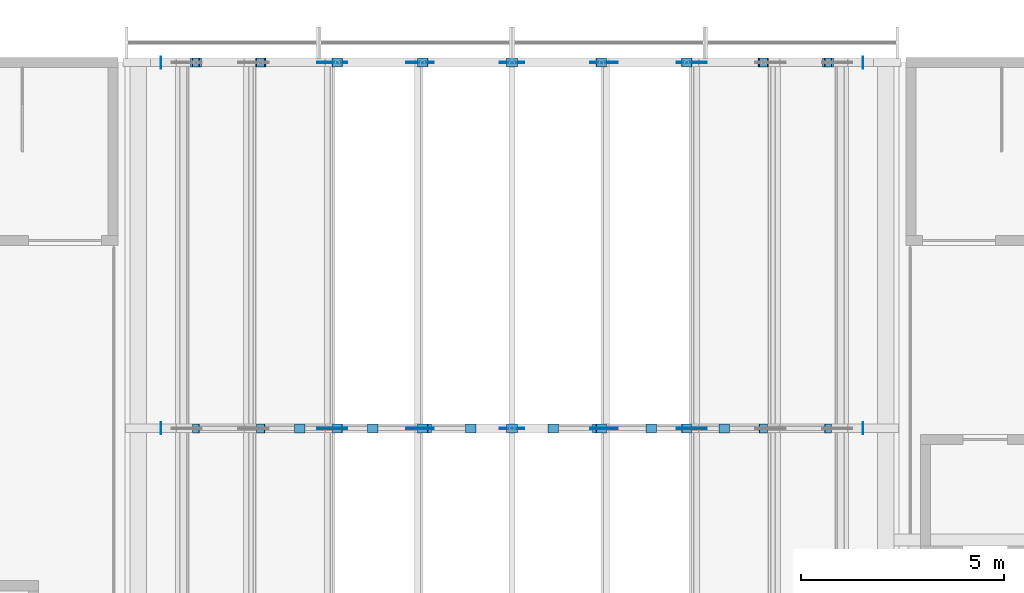
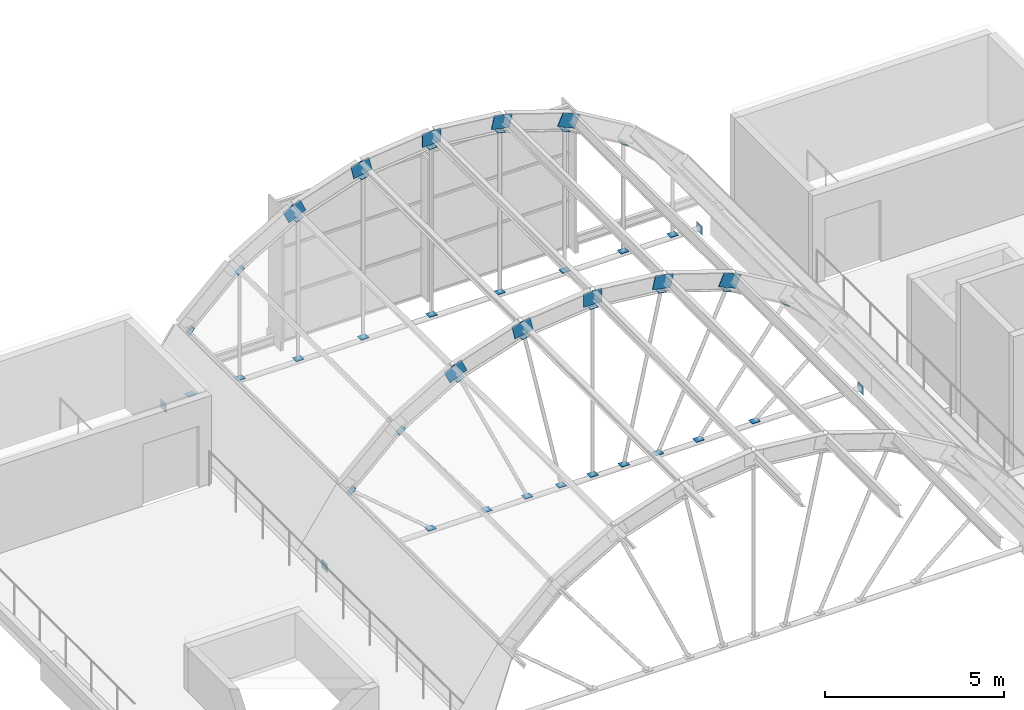
# One storey, part 69 of 79: 60 discrete accessories.
"""IFC4 building model written with IfcOpenShell, lengths in metres."""

from ifc_helpers import new_model, si_unit, direction, frame, origin, origin_2d, place, context, subcontext, project, spatial, rectangle, extrude, material, material_profile, profile_set, type_object, element, save


model = new_model("IFC4")

# Units and contexts
model_context = context("Model", 3, precision=1e-05, world=origin(), true_north=direction((0.0, 1.0)))
body_context = subcontext(model_context, "Body", "Model", "MODEL_VIEW")
ifc_project = project(units=[si_unit("LENGTHUNIT", "METRE"), si_unit("AREAUNIT", "SQUARE_METRE"), si_unit("VOLUMEUNIT", "CUBIC_METRE"), si_unit("PLANEANGLEUNIT", "RADIAN"), si_unit("MASSUNIT", "GRAM", prefix="KILO")], contexts=[model_context])

# Site, building, storey
site_placement = place(None, origin())
site = spatial("IfcSite", under=ifc_project, at=site_placement, CompositionType="ELEMENT")
building_placement = place(site_placement, origin())
building = spatial("IfcBuilding", under=site, at=building_placement, Name="Guidao Yard Department Store", CompositionType="ELEMENT")
storey_placement = place(building_placement, frame((0.0, 0.0, 15.0)))
storey = spatial("IfcBuildingStorey", under=building, at=storey_placement, Name="L03", CompositionType="ELEMENT", Elevation=15.0)

# Discrete accessories
ifc_material_1 = material(Name="Steel Q355B", Category="steel")
ifc_material_profile_1 = material_profile(ifc_material_1, rectangle(XDim=0.011962890625, YDim=0.449951171875, at=origin_2d()), Name="Splice plate 450x12")
ifc_profile_set_1 = profile_set([ifc_material_profile_1], Name="Steel Q355B")
discrete_accessory_type_1 = type_object("IfcDiscreteAccessoryType", Name="Rib splice plate SP2 steel", PredefinedType="BRACKET", material=ifc_profile_set_1)
for number, where, z_axis, x_axis, name in (
    (1, (85.30419921875, 98.988525390625, 4.585693359375), (0.909808266671, 0.0, 0.415028815744), (0.0, 1.0, 0.0), "Rib splice plate C07-03A"),
    (2, (85.30419921875, 99.011474609375, 4.585693359375), (0.909808266671, 0.0, 0.415028815744), (0.0, 1.0, 0.0), "Rib splice plate C07-03B"),
):
    element("IfcDiscreteAccessory", number, at=place(storey_placement, frame(where, z_axis=z_axis, x_axis=x_axis)), inside=storey, type_object=discrete_accessory_type_1, Name=name, PredefinedType="BRACKET", context=body_context, shape_type="SweptSolid", body=[
        extrude(rectangle(XDim=0.011962890625, YDim=0.449951171875, at=origin_2d()), origin(), (0.0, 0.0, 1.0), 0.60009765625),
    ])
for number, where, z_axis, x_axis, name in (
    (3, (87.441162109375, 98.988525390625, 5.362548828125), (0.977257109626, 0.0, 0.212057873434), (0.0, 1.0, 0.0), "Rib splice plate C07-04A"),
    (4, (87.441162109375, 99.011474609375, 5.362548828125), (0.977257109626, 0.0, 0.212057873434), (0.0, 1.0, 0.0), "Rib splice plate C07-04B"),
):
    element("IfcDiscreteAccessory", number, at=place(storey_placement, frame(where, z_axis=z_axis, x_axis=x_axis)), inside=storey, type_object=discrete_accessory_type_1, Name=name, PredefinedType="BRACKET", context=body_context, shape_type="SweptSolid", body=[
        extrude(rectangle(XDim=0.011962890625, YDim=0.449951171875, at=origin_2d()), origin(), (0.0, 0.0, 1.0), 0.599853515625),
    ])
for number, where, z_axis, x_axis, name in (
    (5, (89.699951171875, 98.988525390625, 5.668701171875), (1.0, 0.0, 0.0), (0.0, 1.0, 0.0), "Rib splice plate C07-05A"),
    (6, (89.699951171875, 99.011474609375, 5.668701171875), (1.0, 0.0, 0.0), (0.0, 1.0, 0.0), "Rib splice plate C07-05B"),
):
    element("IfcDiscreteAccessory", number, at=place(storey_placement, frame(where, z_axis=z_axis, x_axis=x_axis)), inside=storey, type_object=discrete_accessory_type_1, Name=name, PredefinedType="BRACKET", context=body_context, shape_type="SweptSolid", body=[
        extrude(rectangle(XDim=0.011962890625, YDim=0.449951171875, at=origin_2d()), origin(), (0.0, 0.0, 1.0), 0.60009765625),
    ])
for number, where, z_axis, x_axis, name in (
    (7, (91.97265625, 98.988525390625, 5.48974609375), (0.977257109626, 0.0, -0.212057873434), (0.0, 1.0, 0.0), "Rib splice plate C07-06A"),
    (8, (91.97265625, 99.011474609375, 5.48974609375), (0.977257109626, 0.0, -0.212057873434), (0.0, 1.0, 0.0), "Rib splice plate C07-06B"),
):
    element("IfcDiscreteAccessory", number, at=place(storey_placement, frame(where, z_axis=z_axis, x_axis=x_axis)), inside=storey, type_object=discrete_accessory_type_1, Name=name, PredefinedType="BRACKET", context=body_context, shape_type="SweptSolid", body=[
        extrude(rectangle(XDim=0.011962890625, YDim=0.449951171875, at=origin_2d()), origin(), (0.0, 0.0, 1.0), 0.599853515625),
    ])
for number, where, z_axis, x_axis, name in (
    (9, (94.14990234375, 98.988525390625, 4.834716796875), (0.909808266671, 0.0, -0.415028815744), (0.0, 1.0, 0.0), "Rib splice plate C07-07A"),
    (10, (94.14990234375, 99.011474609375, 4.834716796875), (0.909808266671, 0.0, -0.415028815744), (0.0, 1.0, 0.0), "Rib splice plate C07-07B"),
    (11, (85.30419921875, 107.988525390625, 4.585693359375), (0.909808266671, 0.0, 0.415028815744), (0.0, 1.0, 0.0), "Rib splice plate C08-03A"),
    (12, (85.30419921875, 108.011474609375, 4.585693359375), (0.909808266671, 0.0, 0.415028815744), (0.0, 1.0, 0.0), "Rib splice plate C08-03B"),
):
    element("IfcDiscreteAccessory", number, at=place(storey_placement, frame(where, z_axis=z_axis, x_axis=x_axis)), inside=storey, type_object=discrete_accessory_type_1, Name=name, PredefinedType="BRACKET", context=body_context, shape_type="SweptSolid", body=[
        extrude(rectangle(XDim=0.011962890625, YDim=0.449951171875, at=origin_2d()), origin(), (0.0, 0.0, 1.0), 0.60009765625),
    ])
for number, where, z_axis, x_axis, name in (
    (13, (87.441162109375, 107.988525390625, 5.362548828125), (0.977257109626, 0.0, 0.212057873434), (0.0, 1.0, 0.0), "Rib splice plate C08-04A"),
    (14, (87.441162109375, 108.011474609375, 5.362548828125), (0.977257109626, 0.0, 0.212057873434), (0.0, 1.0, 0.0), "Rib splice plate C08-04B"),
):
    element("IfcDiscreteAccessory", number, at=place(storey_placement, frame(where, z_axis=z_axis, x_axis=x_axis)), inside=storey, type_object=discrete_accessory_type_1, Name=name, PredefinedType="BRACKET", context=body_context, shape_type="SweptSolid", body=[
        extrude(rectangle(XDim=0.011962890625, YDim=0.449951171875, at=origin_2d()), origin(), (0.0, 0.0, 1.0), 0.599853515625),
    ])
for number, where, z_axis, x_axis, name in (
    (15, (89.699951171875, 107.988525390625, 5.668701171875), (1.0, 0.0, 0.0), (0.0, 1.0, 0.0), "Rib splice plate C08-05A"),
    (16, (89.699951171875, 108.011474609375, 5.668701171875), (1.0, 0.0, 0.0), (0.0, 1.0, 0.0), "Rib splice plate C08-05B"),
):
    element("IfcDiscreteAccessory", number, at=place(storey_placement, frame(where, z_axis=z_axis, x_axis=x_axis)), inside=storey, type_object=discrete_accessory_type_1, Name=name, PredefinedType="BRACKET", context=body_context, shape_type="SweptSolid", body=[
        extrude(rectangle(XDim=0.011962890625, YDim=0.449951171875, at=origin_2d()), origin(), (0.0, 0.0, 1.0), 0.60009765625),
    ])
for number, where, z_axis, x_axis, name in (
    (17, (91.97265625, 107.988525390625, 5.48974609375), (0.977257109626, 0.0, -0.212057873434), (0.0, 1.0, 0.0), "Rib splice plate C08-06A"),
    (18, (91.97265625, 108.011474609375, 5.48974609375), (0.977257109626, 0.0, -0.212057873434), (0.0, 1.0, 0.0), "Rib splice plate C08-06B"),
):
    element("IfcDiscreteAccessory", number, at=place(storey_placement, frame(where, z_axis=z_axis, x_axis=x_axis)), inside=storey, type_object=discrete_accessory_type_1, Name=name, PredefinedType="BRACKET", context=body_context, shape_type="SweptSolid", body=[
        extrude(rectangle(XDim=0.011962890625, YDim=0.449951171875, at=origin_2d()), origin(), (0.0, 0.0, 1.0), 0.599853515625),
    ])
for number, where, z_axis, x_axis, name in (
    (19, (94.14990234375, 107.988525390625, 4.834716796875), (0.909808266671, 0.0, -0.415028815744), (0.0, 1.0, 0.0), "Rib splice plate C08-07A"),
    (20, (94.14990234375, 108.011474609375, 4.834716796875), (0.909808266671, 0.0, -0.415028815744), (0.0, 1.0, 0.0), "Rib splice plate C08-07B"),
):
    element("IfcDiscreteAccessory", number, at=place(storey_placement, frame(where, z_axis=z_axis, x_axis=x_axis)), inside=storey, type_object=discrete_accessory_type_1, Name=name, PredefinedType="BRACKET", context=body_context, shape_type="SweptSolid", body=[
        extrude(rectangle(XDim=0.011962890625, YDim=0.449951171875, at=origin_2d()), origin(), (0.0, 0.0, 1.0), 0.60009765625),
    ])
ifc_material_2 = material(Name="Steel Q355B", Category="steel")
ifc_material_profile_2 = material_profile(ifc_material_2, rectangle(XDim=0.300048828125, YDim=0.011962890625, at=origin_2d()), Name="Node plate 300x12")
ifc_profile_set_2 = profile_set([ifc_material_profile_2], Name="Steel Q355B")
discrete_accessory_type_2 = type_object("IfcDiscreteAccessoryType", Name="Tie end plate NP3 300 steel", PredefinedType="BRACKET", material=ifc_profile_set_2)
for number, where, z_axis, x_axis, name in (
    (21, (81.35595703125, 98.85009765625, -0.449951171875), (0.0, 1.0, 0.0), (0.0, 0.0, 1.0), "Tie end plate C07L"),
    (22, (98.64404296875, 98.85009765625, -0.449951171875), (0.0, 1.0, 0.0), (0.0, 0.0, 1.0), "Tie end plate C07R"),
    (23, (81.35595703125, 107.85009765625, -0.449951171875), (0.0, 1.0, 0.0), (0.0, 0.0, 1.0), "Tie end plate C08L"),
    (24, (98.64404296875, 107.85009765625, -0.449951171875), (0.0, 1.0, 0.0), (0.0, 0.0, 1.0), "Tie end plate C08R"),
):
    element("IfcDiscreteAccessory", number, at=place(storey_placement, frame(where, z_axis=z_axis, x_axis=x_axis)), inside=storey, type_object=discrete_accessory_type_2, Name=name, PredefinedType="BRACKET", context=body_context, shape_type="SweptSolid", body=[
        extrude(rectangle(XDim=0.300048828125, YDim=0.011962890625, at=origin_2d()), origin(), (0.0, 0.0, 1.0), 0.2998046875),
    ])
ifc_material_3 = material(Name="Steel Q355B", Category="steel")
ifc_material_profile_3 = material_profile(ifc_material_3, rectangle(XDim=0.260009765625, YDim=0.011962890625, at=origin_2d()), Name="Node plate 260x12")
ifc_profile_set_3 = profile_set([ifc_material_profile_3], Name="Steel Q355B")
discrete_accessory_type_3 = type_object("IfcDiscreteAccessoryType", Name="Web foot plate NP2 steel", PredefinedType="BRACKET", material=ifc_profile_set_3)
for number, where, z_axis, x_axis, name in (
    (25, (84.77490234375, 98.889892578125, -0.360107421875), (0.0, 1.0, 0.0), (-1.0, 0.0, 0.0), "Web foot plate C07-01F"),
    (26, (86.575927734375, 98.889892578125, -0.360107421875), (0.0, 1.0, 0.0), (-1.0, 0.0, 0.0), "Web foot plate C07-02F"),
    (27, (87.890869140625, 98.889892578125, -0.360107421875), (0.0, 1.0, 0.0), (-1.0, 0.0, 0.0), "Web foot plate C07-03F"),
    (28, (88.98876953125, 98.889892578125, -0.360107421875), (0.0, 1.0, 0.0), (-1.0, 0.0, 0.0), "Web foot plate C07-04F"),
    (29, (90.0, 98.889892578125, -0.360107421875), (0.0, 1.0, 0.0), (-1.0, 0.0, 0.0), "Web foot plate C07-05F"),
    (30, (91.01123046875, 98.889892578125, -0.360107421875), (0.0, 1.0, 0.0), (-1.0, 0.0, 0.0), "Web foot plate C07-06F"),
    (31, (92.109130859375, 98.889892578125, -0.360107421875), (0.0, 1.0, 0.0), (-1.0, 0.0, 0.0), "Web foot plate C07-07F"),
    (32, (93.424072265625, 98.889892578125, -0.360107421875), (0.0, 1.0, 0.0), (-1.0, 0.0, 0.0), "Web foot plate C07-08F"),
    (33, (95.22509765625, 98.889892578125, -0.360107421875), (0.0, 1.0, 0.0), (-1.0, 0.0, 0.0), "Web foot plate C07-09F"),
    (34, (82.221923828125, 107.889892578125, -0.360107421875), (0.0, 1.0, 0.0), (-1.0, 0.0, 0.0), "Web foot plate C08-01F"),
    (35, (83.8134765625, 107.889892578125, -0.360107421875), (0.0, 1.0, 0.0), (-1.0, 0.0, 0.0), "Web foot plate C08-02F"),
    (36, (85.702392578125, 107.889892578125, -0.360107421875), (0.0, 1.0, 0.0), (-1.0, 0.0, 0.0), "Web foot plate C08-03F"),
    (37, (87.798095703125, 107.889892578125, -0.360107421875), (0.0, 1.0, 0.0), (-1.0, 0.0, 0.0), "Web foot plate C08-04F"),
    (38, (90.0, 107.889892578125, -0.360107421875), (0.0, 1.0, 0.0), (-1.0, 0.0, 0.0), "Web foot plate C08-05F"),
    (39, (92.201904296875, 107.889892578125, -0.360107421875), (0.0, 1.0, 0.0), (-1.0, 0.0, 0.0), "Web foot plate C08-06F"),
    (40, (94.297607421875, 107.889892578125, -0.360107421875), (0.0, 1.0, 0.0), (-1.0, 0.0, 0.0), "Web foot plate C08-07F"),
    (41, (96.1865234375, 107.889892578125, -0.360107421875), (0.0, 1.0, 0.0), (-1.0, 0.0, 0.0), "Web foot plate C08-08F"),
    (42, (97.778076171875, 107.889892578125, -0.360107421875), (0.0, 1.0, 0.0), (-1.0, 0.0, 0.0), "Web foot plate C08-09F"),
):
    element("IfcDiscreteAccessory", number, at=place(storey_placement, frame(where, z_axis=z_axis, x_axis=x_axis)), inside=storey, type_object=discrete_accessory_type_3, Name=name, PredefinedType="BRACKET", context=body_context, shape_type="SweptSolid", body=[
        extrude(rectangle(XDim=0.260009765625, YDim=0.011962890625, at=origin_2d()), origin(), (0.0, 0.0, 1.0), 0.22021484375),
    ])
ifc_material_4 = material(Name="Steel Q355B", Category="steel")
ifc_material_profile_4 = material_profile(ifc_material_4, rectangle(XDim=0.260009765625, YDim=0.011962890625, at=origin_2d()), Name="Node plate 260x12")
ifc_profile_set_4 = profile_set([ifc_material_profile_4], Name="Steel Q355B")
discrete_accessory_type_4 = type_object("IfcDiscreteAccessoryType", Name="Web head plate NP1 steel", PredefinedType="BRACKET", material=ifc_profile_set_4)
for number, where, z_axis, x_axis, name in (
    (43, (82.221923828125, 98.889892578125, 1.82080078125), (0.0, 1.0, 0.0), (-0.649536869322, 0.0, -0.760330096334), "Web head plate C07-01H"),
    (44, (83.8134765625, 98.889892578125, 3.314208984375), (0.0, 1.0, 0.0), (-0.79928350319, 0.0, -0.600954142617), "Web head plate C07-02H"),
    (45, (85.702392578125, 98.889892578125, 4.435791015625), (0.0, 1.0, 0.0), (-0.909750741633, 0.0, -0.415154896513), "Web head plate C07-03H"),
    (46, (87.798095703125, 98.889892578125, 5.13134765625), (0.0, 1.0, 0.0), (-0.977291953985, 0.0, -0.211897231402), "Web head plate C07-04H"),
    (47, (90.0, 98.889892578125, 5.366943359375), (0.0, 1.0, 0.0), (-1.0, 0.0, 0.0), "Web head plate C07-05H"),
    (48, (92.201904296875, 98.889892578125, 5.13134765625), (0.0, 1.0, 0.0), (-0.977291953985, 0.0, 0.211897231402), "Web head plate C07-06H"),
    (49, (94.297607421875, 98.889892578125, 4.435791015625), (0.0, 1.0, 0.0), (-0.909750741633, 0.0, 0.415154896513), "Web head plate C07-07H"),
    (50, (96.1865234375, 98.889892578125, 3.314208984375), (0.0, 1.0, 0.0), (-0.79928350319, 0.0, 0.600954142617), "Web head plate C07-08H"),
    (51, (97.778076171875, 98.889892578125, 1.82080078125), (0.0, 1.0, 0.0), (-0.649536869322, 0.0, 0.760330096334), "Web head plate C07-09H"),
    (52, (82.221923828125, 107.889892578125, 1.82080078125), (0.0, 1.0, 0.0), (-0.649536869322, 0.0, -0.760330096334), "Web head plate C08-01H"),
    (53, (83.8134765625, 107.889892578125, 3.314208984375), (0.0, 1.0, 0.0), (-0.79928350319, 0.0, -0.600954142617), "Web head plate C08-02H"),
    (54, (85.702392578125, 107.889892578125, 4.435791015625), (0.0, 1.0, 0.0), (-0.909750741633, 0.0, -0.415154896513), "Web head plate C08-03H"),
    (55, (87.798095703125, 107.889892578125, 5.13134765625), (0.0, 1.0, 0.0), (-0.977291953985, 0.0, -0.211897231402), "Web head plate C08-04H"),
    (56, (90.0, 107.889892578125, 5.366943359375), (0.0, 1.0, 0.0), (-1.0, 0.0, 0.0), "Web head plate C08-05H"),
    (57, (92.201904296875, 107.889892578125, 5.13134765625), (0.0, 1.0, 0.0), (-0.977291953985, 0.0, 0.211897231402), "Web head plate C08-06H"),
    (58, (94.297607421875, 107.889892578125, 4.435791015625), (0.0, 1.0, 0.0), (-0.909750741633, 0.0, 0.415154896513), "Web head plate C08-07H"),
    (59, (96.1865234375, 107.889892578125, 3.314208984375), (0.0, 1.0, 0.0), (-0.79928350319, 0.0, 0.600954142617), "Web head plate C08-08H"),
    (60, (97.778076171875, 107.889892578125, 1.82080078125), (0.0, 1.0, 0.0), (-0.649536869322, 0.0, 0.760330096334), "Web head plate C08-09H"),
):
    element("IfcDiscreteAccessory", number, at=place(storey_placement, frame(where, z_axis=z_axis, x_axis=x_axis)), inside=storey, type_object=discrete_accessory_type_4, Name=name, PredefinedType="BRACKET", context=body_context, shape_type="SweptSolid", body=[
        extrude(rectangle(XDim=0.260009765625, YDim=0.011962890625, at=origin_2d()), origin(), (0.0, 0.0, 1.0), 0.22021484375),
    ])

save(model, "model.ifc")
